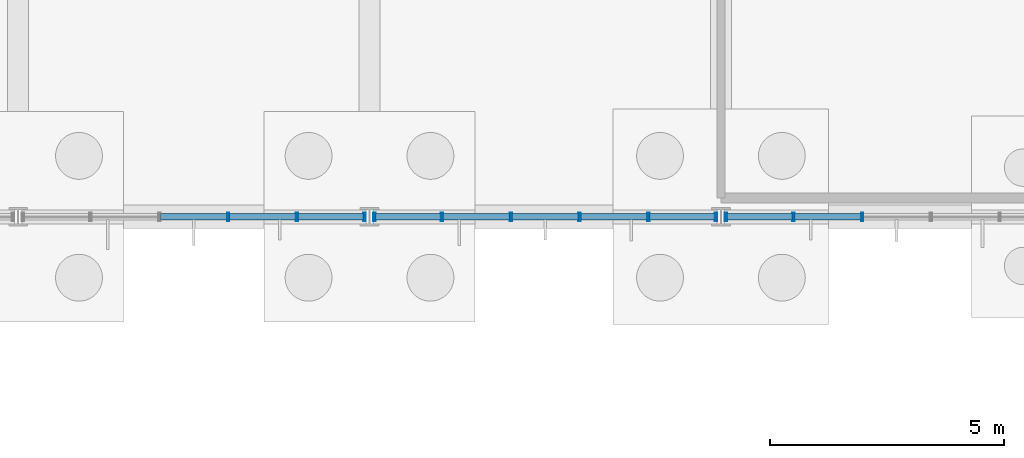
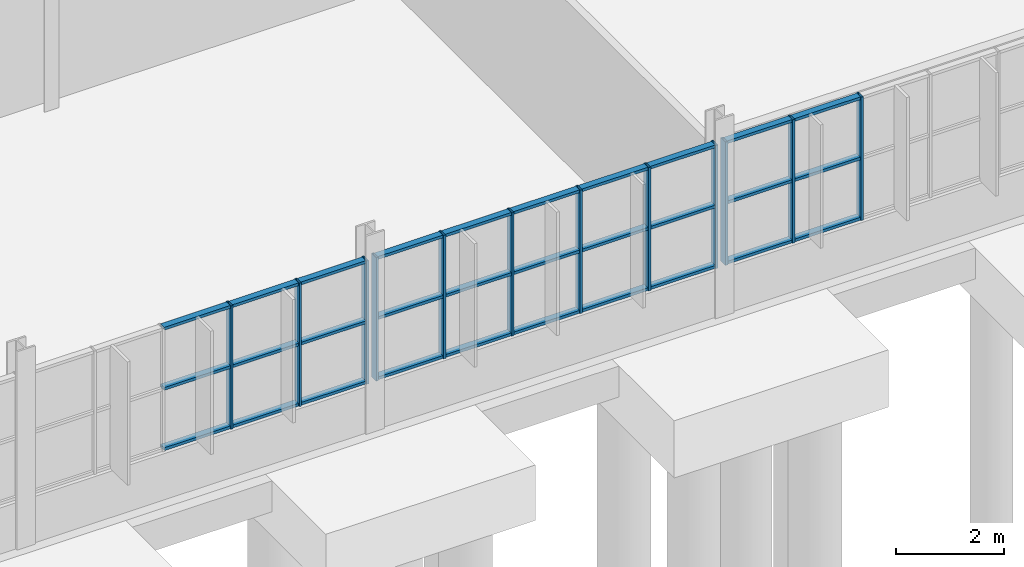
# One storey, part 62 of 136: 42 members, 3 elements without a shape of their own.
"""IFC4 building model written with IfcOpenShell, lengths in metres."""

import ifcopenshell
import ifcopenshell.guid

model = None  # the IFC model being written
_history = None  # IfcOwnerHistory: only IFC2X3 demands one
_inside = {}  # id of a spatial element -> (the spatial element, [elements in it])
_under = {}  # id of a project, library or spatial element -> (it, [spatial elements below it])
_declared = {}  # id of a project -> (the project, [libraries it declares])
_typed = {}  # id of a type object -> (the type object, [elements of that type])
_made_of = {}  # id of a material, layer set ... -> (it, [elements and type objects made of it])


def new_model(schema):
    """Start an empty IFC model of exactly this schema.

    Asked for "IFC4X3", IfcOpenShell would pick the latest addendum, in which some entities
    have other attributes; the version numbers below select the first issue.
    IFC2X3 requires an IfcOwnerHistory on every rooted entity: one is made here for all.
    """
    global model, _history
    if schema == "IFC4X3":
        model = ifcopenshell.file(schema_version=(4, 3, 0, 0))
    else:
        model = ifcopenshell.file(schema=schema)
    _inside.clear()
    _under.clear()
    _declared.clear()
    _typed.clear()
    _made_of.clear()
    _history = None
    if model.schema == "IFC2X3":
        org = make("IfcOrganization", Name="unknown")
        user = make(
            "IfcPersonAndOrganization",
            ThePerson=make("IfcPerson", FamilyName="unknown"),
            TheOrganization=org,
        )
        app = make(
            "IfcApplication",
            ApplicationDeveloper=org,
            Version="unknown",
            ApplicationFullName="unknown",
            ApplicationIdentifier="unknown",
        )
        _history = make(
            "IfcOwnerHistory",
            OwningUser=user,
            OwningApplication=app,
            ChangeAction="ADDED",
            CreationDate=0,
        )
    return model


def make(cls, **values):
    """One entity of the class cls with the attributes given. An attribute that is None is left unset."""
    return model.create_entity(
        cls, **{name: value for name, value in values.items() if value is not None}
    )


def rooted(cls, **values):
    """An entity with a GlobalId (a new one), such as an element, a storey or a relation."""
    return make(cls, GlobalId=ifcopenshell.guid.new(), OwnerHistory=_history, **values)


def si_unit(unit_type, name, prefix=None):
    """IfcSIUnit, for example si_unit("LENGTHUNIT", "METRE", prefix="MILLI")."""
    return make("IfcSIUnit", UnitType=unit_type, Prefix=prefix, Name=name)


def assignment(units):
    """IfcUnitAssignment: the units of a project."""
    return None if units is None else make("IfcUnitAssignment", Units=units)


def point(xyz):
    """IfcCartesianPoint."""
    return None if xyz is None else make("IfcCartesianPoint", Coordinates=xyz)


def direction(xyz):
    """IfcDirection."""
    return None if xyz is None else make("IfcDirection", DirectionRatios=xyz)


def frame(location, z_axis=None, x_axis=None):
    """IfcAxis2Placement3D, a coordinate frame: its origin and axes. An axis left out is left unset."""
    return make(
        "IfcAxis2Placement3D",
        Location=point(location),
        Axis=direction(z_axis),
        RefDirection=direction(x_axis),
    )


def frame_2d(location, x_axis=None):
    """IfcAxis2Placement2D, a coordinate frame in the plane: its origin and x axis."""
    return make(
        "IfcAxis2Placement2D", Location=point(location), RefDirection=direction(x_axis)
    )


def origin():
    """The frame at (0, 0, 0) with its axes left unset."""
    return frame((0.0, 0.0, 0.0))


def origin_2d():
    """The frame at (0, 0) in the plane with its x axis left unset."""
    return frame_2d((0.0, 0.0))


def place(relative_to, where):
    """IfcLocalPlacement: puts the frame where relative to a parent placement (None: the world)."""
    return make(
        "IfcLocalPlacement", PlacementRelTo=relative_to, RelativePlacement=where
    )


def context(
    kind, dimensions, precision=None, world=None, true_north=None, identifier=None
):
    """IfcGeometricRepresentationContext, for example the 3D "Model" context."""
    return make(
        "IfcGeometricRepresentationContext",
        ContextIdentifier=identifier,
        ContextType=kind,
        CoordinateSpaceDimension=dimensions,
        Precision=precision,
        WorldCoordinateSystem=world,
        TrueNorth=true_north,
    )


def subcontext(parent, identifier, kind, view, scale=None):
    """IfcGeometricRepresentationSubContext, for example "Body" below "Model"."""
    return make(
        "IfcGeometricRepresentationSubContext",
        ContextIdentifier=identifier,
        ContextType=kind,
        ParentContext=parent,
        TargetScale=scale,
        TargetView=view,
    )


def project(units=None, contexts=None):
    """IfcProject with its units and contexts."""
    return rooted(
        "IfcProject",
        Name="project",
        RepresentationContexts=contexts,
        UnitsInContext=assignment(units),
    )


def spatial(cls, under=None, at=None, **own):
    """A site, building, storey or space (cls), placed at a placement, below another one or the project."""
    s = rooted(cls, ObjectPlacement=at, **own)
    if under is not None:
        _under.setdefault(under.id(), (under, []))[1].append(s)
    return s


def profile(cls, at=None, kind="AREA", **sizes):
    """A parametric profile (cls). Its sizes go by their IFC names, for example OverallWidth=200.0."""
    return make(cls, ProfileType=kind, Position=at, **sizes)


def hollow_rectangle(**sizes):
    """IfcRectangleHollowProfileDef."""
    return profile("IfcRectangleHollowProfileDef", **sizes)


def extrude(swept, where, along, depth):
    """IfcExtrudedAreaSolid: the profile swept, set in the frame where, extruded along a direction by depth."""
    return make(
        "IfcExtrudedAreaSolid",
        SweptArea=swept,
        Position=where,
        ExtrudedDirection=direction(along),
        Depth=depth,
    )


def shape(context_of_items, identifier, shape_type, items):
    """IfcShapeRepresentation: the items that make up one representation, for example the "Body"."""
    return make(
        "IfcShapeRepresentation",
        ContextOfItems=context_of_items,
        RepresentationIdentifier=identifier,
        RepresentationType=shape_type,
        Items=items,
    )


def material(Name=None, Category=None):
    """IfcMaterial."""
    return make("IfcMaterial", Name=Name, Category=Category)


def layer(
    of_material, thickness, ventilated=None, Name=None, Category=None, Priority=None
):
    """IfcMaterialLayer: one layer of a wall or slab, of a material (None: an air gap)."""
    return make(
        "IfcMaterialLayer",
        Material=of_material,
        LayerThickness=thickness,
        IsVentilated=ventilated,
        Name=Name,
        Category=Category,
        Priority=Priority,
    )


def layer_set(layers, Name=None):
    """IfcMaterialLayerSet."""
    return make("IfcMaterialLayerSet", MaterialLayers=layers, LayerSetName=Name)


def material_profile(
    of_material, cross_section, Name=None, Category=None, Priority=None
):
    """IfcMaterialProfile: a cross section and its material."""
    return make(
        "IfcMaterialProfile",
        Name=Name,
        Material=of_material,
        Profile=cross_section,
        Priority=Priority,
        Category=Category,
    )


def profile_set(profiles, Name=None, composite=None):
    """IfcMaterialProfileSet."""
    return make(
        "IfcMaterialProfileSet",
        Name=Name,
        MaterialProfiles=profiles,
        CompositeProfile=composite,
    )


def made_of(thing, what):
    """Note that an element or type object is made of a material, layer set ...; save() writes the relation."""
    if what is not None:
        _made_of.setdefault(what.id(), (what, []))[1].append(thing)
    return thing


def type_object(cls, material=None, **own):
    """A type object (cls), such as IfcWallType, which elements share."""
    return made_of(rooted(cls, **own), material)


def element(
    cls,
    number,
    at=None,
    inside=None,
    cuts=None,
    type_object=None,
    material=None,
    context=None,
    identifier="Body",
    shape_type=None,
    held_by="IfcProductDefinitionShape",
    body=None,
    shapes=None,
    **own,
):
    """One element of the class cls, such as IfcWall. Its Tag is "e" and its number.

    at: its placement. inside: the storey or other place that contains it. cuts: it is an
    opening in that element (IfcRelVoidsElement). A single representation is given by context,
    identifier, shape_type and body (its items); several are given by shapes. held_by: the class
    of the entity that holds the representations. save() writes the other relations.
    """
    e = rooted(cls, Tag="e%d" % number, ObjectPlacement=at, **own)
    if body is not None:
        shapes = [shape(context, identifier, shape_type, body)]
    if shapes is not None:
        e.Representation = make(held_by, Representations=shapes)
    if inside is not None:
        _inside.setdefault(inside.id(), (inside, []))[1].append(e)
    if cuts is not None:
        rooted(
            "IfcRelVoidsElement", RelatingBuildingElement=cuts, RelatedOpeningElement=e
        )
    if type_object is not None:
        _typed.setdefault(type_object.id(), (type_object, []))[1].append(e)
    return made_of(e, material)


def aggregate(whole, parts):
    """IfcRelAggregates: a whole, such as a stair, and the parts it consists of."""
    return rooted("IfcRelAggregates", RelatingObject=whole, RelatedObjects=parts)


def save(model, path):
    """Write the relations noted so far, then the file.

    IfcRelAggregates (storeys below a building ...), IfcRelContainedInSpatialStructure (elements
    in a storey), IfcRelDefinesByType, IfcRelAssociatesMaterial and IfcRelDeclares: one each for
    every whole, place, type object, material and project.
    """
    for whole, parts in _under.values():
        aggregate(whole, parts)
    for where, things in _inside.values():
        rooted(
            "IfcRelContainedInSpatialStructure",
            RelatedElements=things,
            RelatingStructure=where,
        )
    for kind, things in _typed.values():
        rooted("IfcRelDefinesByType", RelatedObjects=things, RelatingType=kind)
    for what, things in _made_of.values():
        rooted("IfcRelAssociatesMaterial", RelatedObjects=things, RelatingMaterial=what)
    for by, libraries in _declared.values():
        rooted("IfcRelDeclares", RelatingContext=by, RelatedDefinitions=libraries)
    model.write(path)


model = new_model("IFC4")

# Units and contexts
model_context = context("Model", 3, precision=1e-05, world=origin(), true_north=direction((0.0, 1.0)))
body_context = subcontext(model_context, "Body", "Model", "MODEL_VIEW")
ifc_project = project(units=[si_unit("LENGTHUNIT", "METRE"), si_unit("AREAUNIT", "SQUARE_METRE"), si_unit("VOLUMEUNIT", "CUBIC_METRE"), si_unit("PLANEANGLEUNIT", "RADIAN"), si_unit("MASSUNIT", "GRAM", prefix="KILO")], contexts=[model_context])

# Site, building, storey
site_placement = place(None, origin())
site = spatial("IfcSite", under=ifc_project, at=site_placement, CompositionType="ELEMENT")
building_placement = place(site_placement, origin())
building = spatial("IfcBuilding", under=site, at=building_placement, Name="Solvenia Promenade Tram Depot", CompositionType="ELEMENT")
storey_placement = place(building_placement, origin())
storey = spatial("IfcBuildingStorey", under=building, at=storey_placement, Name="L00", CompositionType="ELEMENT", Elevation=0.0)

# Curtain wall, members
ifc_material = material(Name="Anodized aluminium AW-6063 T6", Category="aluminium")
ifc_layer = layer(ifc_material, 0.14990234375, Name="Anodized aluminium AW-6063 T6", Category="aluminium")
ifc_layer_set = layer_set([ifc_layer], Name="Anodized aluminium AW-6063 T6")
curtain_wall_type = type_object("IfcCurtainWallType", Name="CW-Court-1500", PredefinedType="NOTDEFINED", material=ifc_layer_set)
curtain_wall_1_placement = place(storey_placement, origin())
curtain_wall_1 = element("IfcCurtainWall", 1, at=curtain_wall_1_placement, inside=storey, type_object=curtain_wall_type, Name="Curtain Wall CW-V1S0-05", PredefinedType="NOTDEFINED")
ifc_material_profile_1 = material_profile(ifc_material, hollow_rectangle(XDim=0.179931640625, YDim=0.050048828125, WallThickness=0.00390625, at=origin_2d()), Name="ALU-M2", Category="aluminium")
ifc_profile_set_1 = profile_set([ifc_material_profile_1], Name="Anodized aluminium AW-6063 T6")
member_type_1 = type_object("IfcMemberType", Name="CWM-Mullion-2", PredefinedType="MULLION", material=ifc_profile_set_1)
member_1_placement = place(storey_placement, frame((79.48388671875, 66.0, 1.050048828125), z_axis=(0.0, 0.0, 1.0), x_axis=(0.0, 1.0, 0.0)))
member_1 = element("IfcMember", 2, at=member_1_placement, type_object=member_type_1, Name="CW-5 mullion 4", PredefinedType="MULLION", context=body_context, shape_type="SweptSolid", body=[
    extrude(hollow_rectangle(XDim=0.179931640625, YDim=0.050048828125, WallThickness=0.00390625, at=origin_2d()), origin(), (0.0, 0.0, 1.0), 2.800048828125),
])
member_2_placement = place(storey_placement, frame((80.951904296875, 66.0, 1.050048828125), z_axis=(0.0, 0.0, 1.0), x_axis=(0.0, 1.0, 0.0)))
member_2 = element("IfcMember", 3, at=member_2_placement, type_object=member_type_1, Name="CW-5 mullion 5", PredefinedType="MULLION", context=body_context, shape_type="SweptSolid", body=[
    extrude(hollow_rectangle(XDim=0.179931640625, YDim=0.050048828125, WallThickness=0.00390625, at=origin_2d()), origin(), (0.0, 0.0, 1.0), 2.800048828125),
])
member_3_placement = place(storey_placement, frame((82.39501953125, 66.0, 1.050048828125), z_axis=(0.0, 0.0, 1.0), x_axis=(0.0, 1.0, 0.0)))
member_3 = element("IfcMember", 4, at=member_3_placement, type_object=member_type_1, Name="CW-5 mullion 6", PredefinedType="MULLION", context=body_context, shape_type="SweptSolid", body=[
    extrude(hollow_rectangle(XDim=0.179931640625, YDim=0.050048828125, WallThickness=0.00390625, at=origin_2d()), origin(), (0.0, 0.0, 1.0), 2.800048828125),
])

curtain_wall_2_placement = place(storey_placement, origin())
curtain_wall_2 = element("IfcCurtainWall", 5, at=curtain_wall_2_placement, inside=storey, type_object=curtain_wall_type, Name="Curtain Wall CW-V1S0-06", PredefinedType="NOTDEFINED")
member_4_placement = place(storey_placement, frame((82.60498046875, 66.0, 1.050048828125), z_axis=(0.0, 0.0, 1.0), x_axis=(0.0, 1.0, 0.0)))
member_4 = element("IfcMember", 6, at=member_4_placement, type_object=member_type_1, Name="CW-5 mullion 1", PredefinedType="MULLION", context=body_context, shape_type="SweptSolid", body=[
    extrude(hollow_rectangle(XDim=0.179931640625, YDim=0.050048828125, WallThickness=0.00390625, at=origin_2d()), origin(), (0.0, 0.0, 1.0), 2.800048828125),
])
member_5_placement = place(storey_placement, frame((84.048095703125, 66.0, 1.050048828125), z_axis=(0.0, 0.0, 1.0), x_axis=(0.0, 1.0, 0.0)))
member_5 = element("IfcMember", 7, at=member_5_placement, type_object=member_type_1, Name="CW-5 mullion 2", PredefinedType="MULLION", context=body_context, shape_type="SweptSolid", body=[
    extrude(hollow_rectangle(XDim=0.179931640625, YDim=0.050048828125, WallThickness=0.00390625, at=origin_2d()), origin(), (0.0, 0.0, 1.0), 2.800048828125),
])
member_6_placement = place(storey_placement, frame((85.51611328125, 66.0, 1.050048828125), z_axis=(0.0, 0.0, 1.0), x_axis=(0.0, 1.0, 0.0)))
member_6 = element("IfcMember", 8, at=member_6_placement, type_object=member_type_1, Name="CW-5 mullion 3", PredefinedType="MULLION", context=body_context, shape_type="SweptSolid", body=[
    extrude(hollow_rectangle(XDim=0.179931640625, YDim=0.050048828125, WallThickness=0.00390625, at=origin_2d()), origin(), (0.0, 0.0, 1.0), 2.800048828125),
])
member_7_placement = place(storey_placement, frame((86.98388671875, 66.0, 1.050048828125), z_axis=(0.0, 0.0, 1.0), x_axis=(0.0, 1.0, 0.0)))
member_7 = element("IfcMember", 9, at=member_7_placement, type_object=member_type_1, Name="CW-5 mullion 4", PredefinedType="MULLION", context=body_context, shape_type="SweptSolid", body=[
    extrude(hollow_rectangle(XDim=0.179931640625, YDim=0.050048828125, WallThickness=0.00390625, at=origin_2d()), origin(), (0.0, 0.0, 1.0), 2.800048828125),
])
member_8_placement = place(storey_placement, frame((88.451904296875, 66.0, 1.050048828125), z_axis=(0.0, 0.0, 1.0), x_axis=(0.0, 1.0, 0.0)))
member_8 = element("IfcMember", 10, at=member_8_placement, type_object=member_type_1, Name="CW-5 mullion 5", PredefinedType="MULLION", context=body_context, shape_type="SweptSolid", body=[
    extrude(hollow_rectangle(XDim=0.179931640625, YDim=0.050048828125, WallThickness=0.00390625, at=origin_2d()), origin(), (0.0, 0.0, 1.0), 2.800048828125),
])
member_9_placement = place(storey_placement, frame((89.89501953125, 66.0, 1.050048828125), z_axis=(0.0, 0.0, 1.0), x_axis=(0.0, 1.0, 0.0)))
member_9 = element("IfcMember", 11, at=member_9_placement, type_object=member_type_1, Name="CW-5 mullion 6", PredefinedType="MULLION", context=body_context, shape_type="SweptSolid", body=[
    extrude(hollow_rectangle(XDim=0.179931640625, YDim=0.050048828125, WallThickness=0.00390625, at=origin_2d()), origin(), (0.0, 0.0, 1.0), 2.800048828125),
])

curtain_wall_3_placement = place(storey_placement, origin())
curtain_wall_3 = element("IfcCurtainWall", 12, at=curtain_wall_3_placement, inside=storey, type_object=curtain_wall_type, Name="Curtain Wall CW-V1S0-07", PredefinedType="NOTDEFINED")
member_10_placement = place(storey_placement, frame((90.10498046875, 66.0, 1.050048828125), z_axis=(0.0, 0.0, 1.0), x_axis=(0.0, 1.0, 0.0)))
member_10 = element("IfcMember", 13, at=member_10_placement, type_object=member_type_1, Name="CW-5 mullion 1", PredefinedType="MULLION", context=body_context, shape_type="SweptSolid", body=[
    extrude(hollow_rectangle(XDim=0.179931640625, YDim=0.050048828125, WallThickness=0.00390625, at=origin_2d()), origin(), (0.0, 0.0, 1.0), 2.800048828125),
])
member_11_placement = place(storey_placement, frame((91.548095703125, 66.0, 1.050048828125), z_axis=(0.0, 0.0, 1.0), x_axis=(0.0, 1.0, 0.0)))
member_11 = element("IfcMember", 14, at=member_11_placement, type_object=member_type_1, Name="CW-5 mullion 2", PredefinedType="MULLION", context=body_context, shape_type="SweptSolid", body=[
    extrude(hollow_rectangle(XDim=0.179931640625, YDim=0.050048828125, WallThickness=0.00390625, at=origin_2d()), origin(), (0.0, 0.0, 1.0), 2.800048828125),
])
member_12_placement = place(storey_placement, frame((93.01611328125, 66.0, 1.050048828125), z_axis=(0.0, 0.0, 1.0), x_axis=(0.0, 1.0, 0.0)))
member_12 = element("IfcMember", 15, at=member_12_placement, type_object=member_type_1, Name="CW-5 mullion 3", PredefinedType="MULLION", context=body_context, shape_type="SweptSolid", body=[
    extrude(hollow_rectangle(XDim=0.179931640625, YDim=0.050048828125, WallThickness=0.00390625, at=origin_2d()), origin(), (0.0, 0.0, 1.0), 2.800048828125),
])

# Member
ifc_material_profile_2 = material_profile(ifc_material, hollow_rectangle(XDim=0.139892578125, YDim=0.06494140625, WallThickness=0.00390625, at=origin_2d()), Name="ALU-T2", Category="aluminium")
ifc_profile_set_2 = profile_set([ifc_material_profile_2], Name="Anodized aluminium AW-6063 T6")
member_type_2 = type_object("IfcMemberType", Name="CWT-Transom-2", PredefinedType="USERDEFINED", material=ifc_profile_set_2)
member_13_placement = place(storey_placement, frame((78.041015625, 66.0, 1.08251953125), z_axis=(1.0, 0.0, 0.0), x_axis=(0.0, 1.0, 0.0)))
member_13 = element("IfcMember", 16, at=member_13_placement, type_object=member_type_2, Name="CW-5 transom 3.1", ObjectType="TRANSOM", PredefinedType="USERDEFINED", context=body_context, shape_type="SweptSolid", body=[
    extrude(hollow_rectangle(XDim=0.139892578125, YDim=0.06494140625, WallThickness=0.00390625, at=origin_2d()), origin(), (0.0, 0.0, 1.0), 1.41796875),
])

member_14_placement = place(storey_placement, frame((78.041015625, 66.0, 2.449951171875), z_axis=(1.0, 0.0, 0.0), x_axis=(0.0, 1.0, 0.0)))
member_14 = element("IfcMember", 17, at=member_14_placement, type_object=member_type_2, Name="CW-5 transom 3.2", ObjectType="TRANSOM", PredefinedType="USERDEFINED", context=body_context, shape_type="SweptSolid", body=[
    extrude(hollow_rectangle(XDim=0.139892578125, YDim=0.06494140625, WallThickness=0.00390625, at=origin_2d()), origin(), (0.0, 0.0, 1.0), 1.41796875),
])

member_15_placement = place(storey_placement, frame((78.041015625, 66.0, 3.8173828125), z_axis=(1.0, 0.0, 0.0), x_axis=(0.0, 1.0, 0.0)))
member_15 = element("IfcMember", 18, at=member_15_placement, type_object=member_type_2, Name="CW-5 transom 3.3", ObjectType="TRANSOM", PredefinedType="USERDEFINED", context=body_context, shape_type="SweptSolid", body=[
    extrude(hollow_rectangle(XDim=0.139892578125, YDim=0.06494140625, WallThickness=0.00390625, at=origin_2d()), origin(), (0.0, 0.0, 1.0), 1.41796875),
])

member_16_placement = place(storey_placement, frame((79.509033203125, 66.0, 1.08251953125), z_axis=(1.0, 0.0, 0.0), x_axis=(0.0, 1.0, 0.0)))
member_16 = element("IfcMember", 19, at=member_16_placement, type_object=member_type_2, Name="CW-5 transom 4.1", ObjectType="TRANSOM", PredefinedType="USERDEFINED", context=body_context, shape_type="SweptSolid", body=[
    extrude(hollow_rectangle(XDim=0.139892578125, YDim=0.06494140625, WallThickness=0.00390625, at=origin_2d()), origin(), (0.0, 0.0, 1.0), 1.41796875),
])

member_17_placement = place(storey_placement, frame((79.509033203125, 66.0, 2.449951171875), z_axis=(1.0, 0.0, 0.0), x_axis=(0.0, 1.0, 0.0)))
member_17 = element("IfcMember", 20, at=member_17_placement, type_object=member_type_2, Name="CW-5 transom 4.2", ObjectType="TRANSOM", PredefinedType="USERDEFINED", context=body_context, shape_type="SweptSolid", body=[
    extrude(hollow_rectangle(XDim=0.139892578125, YDim=0.06494140625, WallThickness=0.00390625, at=origin_2d()), origin(), (0.0, 0.0, 1.0), 1.41796875),
])

member_18_placement = place(storey_placement, frame((79.509033203125, 66.0, 3.8173828125), z_axis=(1.0, 0.0, 0.0), x_axis=(0.0, 1.0, 0.0)))
member_18 = element("IfcMember", 21, at=member_18_placement, type_object=member_type_2, Name="CW-5 transom 4.3", ObjectType="TRANSOM", PredefinedType="USERDEFINED", context=body_context, shape_type="SweptSolid", body=[
    extrude(hollow_rectangle(XDim=0.139892578125, YDim=0.06494140625, WallThickness=0.00390625, at=origin_2d()), origin(), (0.0, 0.0, 1.0), 1.41796875),
])

member_19_placement = place(storey_placement, frame((80.97705078125, 66.0, 1.08251953125), z_axis=(1.0, 0.0, 0.0), x_axis=(0.0, 1.0, 0.0)))
member_19 = element("IfcMember", 22, at=member_19_placement, type_object=member_type_2, Name="CW-5 transom 5.1", ObjectType="TRANSOM", PredefinedType="USERDEFINED", context=body_context, shape_type="SweptSolid", body=[
    extrude(hollow_rectangle(XDim=0.139892578125, YDim=0.06494140625, WallThickness=0.00390625, at=origin_2d()), origin(), (0.0, 0.0, 1.0), 1.39306640625),
])

member_20_placement = place(storey_placement, frame((80.97705078125, 66.0, 2.449951171875), z_axis=(1.0, 0.0, 0.0), x_axis=(0.0, 1.0, 0.0)))
member_20 = element("IfcMember", 23, at=member_20_placement, type_object=member_type_2, Name="CW-5 transom 5.2", ObjectType="TRANSOM", PredefinedType="USERDEFINED", context=body_context, shape_type="SweptSolid", body=[
    extrude(hollow_rectangle(XDim=0.139892578125, YDim=0.06494140625, WallThickness=0.00390625, at=origin_2d()), origin(), (0.0, 0.0, 1.0), 1.39306640625),
])

member_21_placement = place(storey_placement, frame((80.97705078125, 66.0, 3.8173828125), z_axis=(1.0, 0.0, 0.0), x_axis=(0.0, 1.0, 0.0)))
member_21 = element("IfcMember", 24, at=member_21_placement, type_object=member_type_2, Name="CW-5 transom 5.3", ObjectType="TRANSOM", PredefinedType="USERDEFINED", context=body_context, shape_type="SweptSolid", body=[
    extrude(hollow_rectangle(XDim=0.139892578125, YDim=0.06494140625, WallThickness=0.00390625, at=origin_2d()), origin(), (0.0, 0.0, 1.0), 1.39306640625),
])

aggregate(curtain_wall_1, [member_1, member_2, member_3, member_13, member_14, member_15, member_16, member_17, member_18, member_19, member_20, member_21])

member_22_placement = place(storey_placement, frame((82.6298828125, 66.0, 1.08251953125), z_axis=(1.0, 0.0, 0.0), x_axis=(0.0, 1.0, 0.0)))
member_22 = element("IfcMember", 25, at=member_22_placement, type_object=member_type_2, Name="CW-5 transom 1.1", ObjectType="TRANSOM", PredefinedType="USERDEFINED", context=body_context, shape_type="SweptSolid", body=[
    extrude(hollow_rectangle(XDim=0.139892578125, YDim=0.06494140625, WallThickness=0.00390625, at=origin_2d()), origin(), (0.0, 0.0, 1.0), 1.39306640625),
])

member_23_placement = place(storey_placement, frame((82.6298828125, 66.0, 2.449951171875), z_axis=(1.0, 0.0, 0.0), x_axis=(0.0, 1.0, 0.0)))
member_23 = element("IfcMember", 26, at=member_23_placement, type_object=member_type_2, Name="CW-5 transom 1.2", ObjectType="TRANSOM", PredefinedType="USERDEFINED", context=body_context, shape_type="SweptSolid", body=[
    extrude(hollow_rectangle(XDim=0.139892578125, YDim=0.06494140625, WallThickness=0.00390625, at=origin_2d()), origin(), (0.0, 0.0, 1.0), 1.39306640625),
])

member_24_placement = place(storey_placement, frame((82.6298828125, 66.0, 3.8173828125), z_axis=(1.0, 0.0, 0.0), x_axis=(0.0, 1.0, 0.0)))
member_24 = element("IfcMember", 27, at=member_24_placement, type_object=member_type_2, Name="CW-5 transom 1.3", ObjectType="TRANSOM", PredefinedType="USERDEFINED", context=body_context, shape_type="SweptSolid", body=[
    extrude(hollow_rectangle(XDim=0.139892578125, YDim=0.06494140625, WallThickness=0.00390625, at=origin_2d()), origin(), (0.0, 0.0, 1.0), 1.39306640625),
])

member_25_placement = place(storey_placement, frame((84.072998046875, 66.0, 1.08251953125), z_axis=(1.0, 0.0, 0.0), x_axis=(0.0, 1.0, 0.0)))
member_25 = element("IfcMember", 28, at=member_25_placement, type_object=member_type_2, Name="CW-5 transom 2.1", ObjectType="TRANSOM", PredefinedType="USERDEFINED", context=body_context, shape_type="SweptSolid", body=[
    extrude(hollow_rectangle(XDim=0.139892578125, YDim=0.06494140625, WallThickness=0.00390625, at=origin_2d()), origin(), (0.0, 0.0, 1.0), 1.41796875),
])

member_26_placement = place(storey_placement, frame((84.072998046875, 66.0, 2.449951171875), z_axis=(1.0, 0.0, 0.0), x_axis=(0.0, 1.0, 0.0)))
member_26 = element("IfcMember", 29, at=member_26_placement, type_object=member_type_2, Name="CW-5 transom 2.2", ObjectType="TRANSOM", PredefinedType="USERDEFINED", context=body_context, shape_type="SweptSolid", body=[
    extrude(hollow_rectangle(XDim=0.139892578125, YDim=0.06494140625, WallThickness=0.00390625, at=origin_2d()), origin(), (0.0, 0.0, 1.0), 1.41796875),
])

member_27_placement = place(storey_placement, frame((84.072998046875, 66.0, 3.8173828125), z_axis=(1.0, 0.0, 0.0), x_axis=(0.0, 1.0, 0.0)))
member_27 = element("IfcMember", 30, at=member_27_placement, type_object=member_type_2, Name="CW-5 transom 2.3", ObjectType="TRANSOM", PredefinedType="USERDEFINED", context=body_context, shape_type="SweptSolid", body=[
    extrude(hollow_rectangle(XDim=0.139892578125, YDim=0.06494140625, WallThickness=0.00390625, at=origin_2d()), origin(), (0.0, 0.0, 1.0), 1.41796875),
])

member_28_placement = place(storey_placement, frame((85.541015625, 66.0, 1.08251953125), z_axis=(1.0, 0.0, 0.0), x_axis=(0.0, 1.0, 0.0)))
member_28 = element("IfcMember", 31, at=member_28_placement, type_object=member_type_2, Name="CW-5 transom 3.1", ObjectType="TRANSOM", PredefinedType="USERDEFINED", context=body_context, shape_type="SweptSolid", body=[
    extrude(hollow_rectangle(XDim=0.139892578125, YDim=0.06494140625, WallThickness=0.00390625, at=origin_2d()), origin(), (0.0, 0.0, 1.0), 1.41796875),
])

member_29_placement = place(storey_placement, frame((85.541015625, 66.0, 2.449951171875), z_axis=(1.0, 0.0, 0.0), x_axis=(0.0, 1.0, 0.0)))
member_29 = element("IfcMember", 32, at=member_29_placement, type_object=member_type_2, Name="CW-5 transom 3.2", ObjectType="TRANSOM", PredefinedType="USERDEFINED", context=body_context, shape_type="SweptSolid", body=[
    extrude(hollow_rectangle(XDim=0.139892578125, YDim=0.06494140625, WallThickness=0.00390625, at=origin_2d()), origin(), (0.0, 0.0, 1.0), 1.41796875),
])

member_30_placement = place(storey_placement, frame((85.541015625, 66.0, 3.8173828125), z_axis=(1.0, 0.0, 0.0), x_axis=(0.0, 1.0, 0.0)))
member_30 = element("IfcMember", 33, at=member_30_placement, type_object=member_type_2, Name="CW-5 transom 3.3", ObjectType="TRANSOM", PredefinedType="USERDEFINED", context=body_context, shape_type="SweptSolid", body=[
    extrude(hollow_rectangle(XDim=0.139892578125, YDim=0.06494140625, WallThickness=0.00390625, at=origin_2d()), origin(), (0.0, 0.0, 1.0), 1.41796875),
])

member_31_placement = place(storey_placement, frame((87.009033203125, 66.0, 1.08251953125), z_axis=(1.0, 0.0, 0.0), x_axis=(0.0, 1.0, 0.0)))
member_31 = element("IfcMember", 34, at=member_31_placement, type_object=member_type_2, Name="CW-5 transom 4.1", ObjectType="TRANSOM", PredefinedType="USERDEFINED", context=body_context, shape_type="SweptSolid", body=[
    extrude(hollow_rectangle(XDim=0.139892578125, YDim=0.06494140625, WallThickness=0.00390625, at=origin_2d()), origin(), (0.0, 0.0, 1.0), 1.41796875),
])

member_32_placement = place(storey_placement, frame((87.009033203125, 66.0, 2.449951171875), z_axis=(1.0, 0.0, 0.0), x_axis=(0.0, 1.0, 0.0)))
member_32 = element("IfcMember", 35, at=member_32_placement, type_object=member_type_2, Name="CW-5 transom 4.2", ObjectType="TRANSOM", PredefinedType="USERDEFINED", context=body_context, shape_type="SweptSolid", body=[
    extrude(hollow_rectangle(XDim=0.139892578125, YDim=0.06494140625, WallThickness=0.00390625, at=origin_2d()), origin(), (0.0, 0.0, 1.0), 1.41796875),
])

member_33_placement = place(storey_placement, frame((87.009033203125, 66.0, 3.8173828125), z_axis=(1.0, 0.0, 0.0), x_axis=(0.0, 1.0, 0.0)))
member_33 = element("IfcMember", 36, at=member_33_placement, type_object=member_type_2, Name="CW-5 transom 4.3", ObjectType="TRANSOM", PredefinedType="USERDEFINED", context=body_context, shape_type="SweptSolid", body=[
    extrude(hollow_rectangle(XDim=0.139892578125, YDim=0.06494140625, WallThickness=0.00390625, at=origin_2d()), origin(), (0.0, 0.0, 1.0), 1.41796875),
])

member_34_placement = place(storey_placement, frame((88.47705078125, 66.0, 1.08251953125), z_axis=(1.0, 0.0, 0.0), x_axis=(0.0, 1.0, 0.0)))
member_34 = element("IfcMember", 37, at=member_34_placement, type_object=member_type_2, Name="CW-5 transom 5.1", ObjectType="TRANSOM", PredefinedType="USERDEFINED", context=body_context, shape_type="SweptSolid", body=[
    extrude(hollow_rectangle(XDim=0.139892578125, YDim=0.06494140625, WallThickness=0.00390625, at=origin_2d()), origin(), (0.0, 0.0, 1.0), 1.39306640625),
])

member_35_placement = place(storey_placement, frame((88.47705078125, 66.0, 2.449951171875), z_axis=(1.0, 0.0, 0.0), x_axis=(0.0, 1.0, 0.0)))
member_35 = element("IfcMember", 38, at=member_35_placement, type_object=member_type_2, Name="CW-5 transom 5.2", ObjectType="TRANSOM", PredefinedType="USERDEFINED", context=body_context, shape_type="SweptSolid", body=[
    extrude(hollow_rectangle(XDim=0.139892578125, YDim=0.06494140625, WallThickness=0.00390625, at=origin_2d()), origin(), (0.0, 0.0, 1.0), 1.39306640625),
])

member_36_placement = place(storey_placement, frame((88.47705078125, 66.0, 3.8173828125), z_axis=(1.0, 0.0, 0.0), x_axis=(0.0, 1.0, 0.0)))
member_36 = element("IfcMember", 39, at=member_36_placement, type_object=member_type_2, Name="CW-5 transom 5.3", ObjectType="TRANSOM", PredefinedType="USERDEFINED", context=body_context, shape_type="SweptSolid", body=[
    extrude(hollow_rectangle(XDim=0.139892578125, YDim=0.06494140625, WallThickness=0.00390625, at=origin_2d()), origin(), (0.0, 0.0, 1.0), 1.39306640625),
])

aggregate(curtain_wall_2, [member_4, member_5, member_6, member_7, member_8, member_9, member_22, member_23, member_24, member_25, member_26, member_27, member_28, member_29, member_30, member_31, member_32, member_33, member_34, member_35, member_36])

member_37_placement = place(storey_placement, frame((90.1298828125, 66.0, 1.08251953125), z_axis=(1.0, 0.0, 0.0), x_axis=(0.0, 1.0, 0.0)))
member_37 = element("IfcMember", 40, at=member_37_placement, type_object=member_type_2, Name="CW-5 transom 1.1", ObjectType="TRANSOM", PredefinedType="USERDEFINED", context=body_context, shape_type="SweptSolid", body=[
    extrude(hollow_rectangle(XDim=0.139892578125, YDim=0.06494140625, WallThickness=0.00390625, at=origin_2d()), origin(), (0.0, 0.0, 1.0), 1.39306640625),
])

member_38_placement = place(storey_placement, frame((90.1298828125, 66.0, 2.449951171875), z_axis=(1.0, 0.0, 0.0), x_axis=(0.0, 1.0, 0.0)))
member_38 = element("IfcMember", 41, at=member_38_placement, type_object=member_type_2, Name="CW-5 transom 1.2", ObjectType="TRANSOM", PredefinedType="USERDEFINED", context=body_context, shape_type="SweptSolid", body=[
    extrude(hollow_rectangle(XDim=0.139892578125, YDim=0.06494140625, WallThickness=0.00390625, at=origin_2d()), origin(), (0.0, 0.0, 1.0), 1.39306640625),
])

member_39_placement = place(storey_placement, frame((90.1298828125, 66.0, 3.8173828125), z_axis=(1.0, 0.0, 0.0), x_axis=(0.0, 1.0, 0.0)))
member_39 = element("IfcMember", 42, at=member_39_placement, type_object=member_type_2, Name="CW-5 transom 1.3", ObjectType="TRANSOM", PredefinedType="USERDEFINED", context=body_context, shape_type="SweptSolid", body=[
    extrude(hollow_rectangle(XDim=0.139892578125, YDim=0.06494140625, WallThickness=0.00390625, at=origin_2d()), origin(), (0.0, 0.0, 1.0), 1.39306640625),
])

member_40_placement = place(storey_placement, frame((91.572998046875, 66.0, 1.08251953125), z_axis=(1.0, 0.0, 0.0), x_axis=(0.0, 1.0, 0.0)))
member_40 = element("IfcMember", 43, at=member_40_placement, type_object=member_type_2, Name="CW-5 transom 2.1", ObjectType="TRANSOM", PredefinedType="USERDEFINED", context=body_context, shape_type="SweptSolid", body=[
    extrude(hollow_rectangle(XDim=0.139892578125, YDim=0.06494140625, WallThickness=0.00390625, at=origin_2d()), origin(), (0.0, 0.0, 1.0), 1.41796875),
])

member_41_placement = place(storey_placement, frame((91.572998046875, 66.0, 2.449951171875), z_axis=(1.0, 0.0, 0.0), x_axis=(0.0, 1.0, 0.0)))
member_41 = element("IfcMember", 44, at=member_41_placement, type_object=member_type_2, Name="CW-5 transom 2.2", ObjectType="TRANSOM", PredefinedType="USERDEFINED", context=body_context, shape_type="SweptSolid", body=[
    extrude(hollow_rectangle(XDim=0.139892578125, YDim=0.06494140625, WallThickness=0.00390625, at=origin_2d()), origin(), (0.0, 0.0, 1.0), 1.41796875),
])

member_42_placement = place(storey_placement, frame((91.572998046875, 66.0, 3.8173828125), z_axis=(1.0, 0.0, 0.0), x_axis=(0.0, 1.0, 0.0)))
member_42 = element("IfcMember", 45, at=member_42_placement, type_object=member_type_2, Name="CW-5 transom 2.3", ObjectType="TRANSOM", PredefinedType="USERDEFINED", context=body_context, shape_type="SweptSolid", body=[
    extrude(hollow_rectangle(XDim=0.139892578125, YDim=0.06494140625, WallThickness=0.00390625, at=origin_2d()), origin(), (0.0, 0.0, 1.0), 1.41796875),
])

aggregate(curtain_wall_3, [member_10, member_11, member_12, member_37, member_38, member_39, member_40, member_41, member_42])

save(model, "model.ifc")
